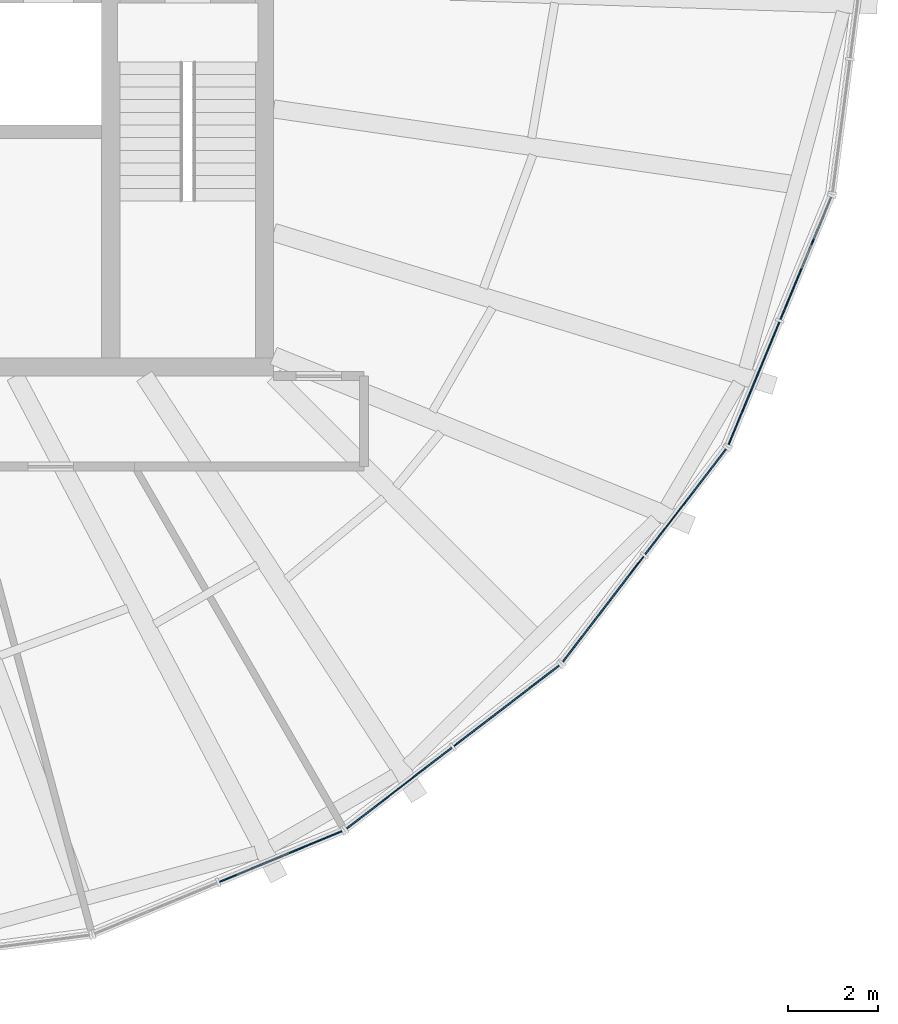
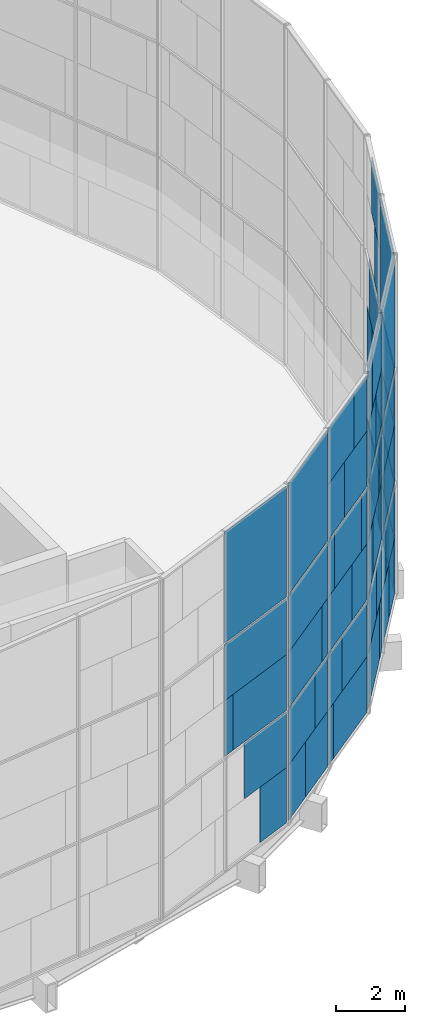
# One storey, part 14 of 23: 66 plates, 4 elements without a shape of their own.
"""IFC4 building model written with IfcOpenShell, lengths in metres."""

from ifc_helpers import new_model, si_unit, direction, frame, origin, origin_2d, place, context, subcontext, project, spatial, rectangle, extrude, material, layer, layer_set, type_object, element, aggregate, save


model = new_model("IFC4")

# Units and contexts
model_context = context("Model", 3, precision=1e-05, world=origin(), true_north=direction((0.0, 1.0)))
body_context = subcontext(model_context, "Body", "Model", "MODEL_VIEW")
ifc_project = project(units=[si_unit("LENGTHUNIT", "METRE"), si_unit("AREAUNIT", "SQUARE_METRE"), si_unit("VOLUMEUNIT", "CUBIC_METRE"), si_unit("PLANEANGLEUNIT", "RADIAN"), si_unit("MASSUNIT", "GRAM", prefix="KILO")], contexts=[model_context])

# Site, building, storey
site_placement = place(None, origin())
site = spatial("IfcSite", under=ifc_project, at=site_placement, CompositionType="ELEMENT")
building_placement = place(site_placement, origin())
building = spatial("IfcBuilding", under=site, at=building_placement, Name="Golbaran Civic Tower", CompositionType="ELEMENT")
storey_placement = place(building_placement, frame((0.0, 0.0, 220.0)))
storey = spatial("IfcBuildingStorey", under=building, at=storey_placement, Name="L53", CompositionType="ELEMENT", Elevation=220.0)

# Curtain wall, plates
ifc_material_1 = material(Name="Aluminium and glass", Category="aluminium")
curtain_wall_type = type_object("IfcCurtainWallType", Name="INNER SKIN CURTAIN WALL EXECUTIVE", PredefinedType="NOTDEFINED", material=ifc_material_1)
curtain_wall_1_placement = place(storey_placement, origin())
curtain_wall_1 = element("IfcCurtainWall", 1, at=curtain_wall_1_placement, inside=storey, type_object=curtain_wall_type, Name="Inner skin L53 facet 20 CW2", ObjectType="INNER SKIN", PredefinedType="USERDEFINED")
ifc_material_2 = material(Name="Clear insulating glass", Category="glass")
ifc_layer_1 = layer(ifc_material_2, 0.031982421875, Name="Clear insulating glass")
ifc_layer_set_1 = layer_set([ifc_layer_1], Name="Clear insulating glass")
plate_type_1 = type_object("IfcPlateType", Name="INNER SKIN CURTAIN WALL EXECUTIVE GLAZED PANEL", PredefinedType="CURTAIN_PANEL", material=ifc_layer_set_1)
plate_1_placement = place(storey_placement, frame((10.927490234375, -20.299560546875, 0.06005859375), z_axis=(0.0, 0.0, 1.0), x_axis=(0.923879532531, 0.382683432317, 0.0)))
plate_1 = element("IfcPlate", 2, at=plate_1_placement, type_object=plate_type_1, Name="CW2 panel 2.1 part 2", PredefinedType="CURTAIN_PANEL", context=body_context, shape_type="SweptSolid", body=[
    extrude(rectangle(XDim=1.2646484375, YDim=0.031982421875, at=origin_2d()), origin(), (0.0, 0.0, 1.0), 1.955078125),
])
plate_2_placement = place(storey_placement, frame((10.593994140625, -20.437744140625, 2.014892578125), z_axis=(0.0, 0.0, 1.0), x_axis=(0.923879532531, 0.382683432317, 0.0)))
plate_2 = element("IfcPlate", 3, at=plate_2_placement, type_object=plate_type_1, Name="CW2 panel 2.1 part 4", PredefinedType="CURTAIN_PANEL", context=body_context, shape_type="SweptSolid", body=[
    extrude(rectangle(XDim=1.986572265625, YDim=0.031982421875, at=origin_2d()), origin(), (0.0, 0.0, 1.0), 1.955078125),
])
plate_3_placement = place(storey_placement, frame((10.343505859375, -20.54150390625, 4.02978515625), z_axis=(0.0, 0.0, 1.0), x_axis=(0.923879532531, 0.382683432317, 0.0)))
plate_3 = element("IfcPlate", 4, at=plate_3_placement, type_object=plate_type_1, Name="CW2 panel 2.2 part 2", PredefinedType="CURTAIN_PANEL", context=body_context, shape_type="SweptSolid", body=[
    extrude(rectangle(XDim=2.528564453125, YDim=0.031982421875, at=origin_2d()), origin(), (0.0, 0.0, 1.0), 1.969970703125),
])
plate_4_placement = place(storey_placement, frame((10.158203125, -20.6181640625, 6.0), z_axis=(0.0, 0.0, 1.0), x_axis=(0.923879532531, 0.382683432317, 0.0)))
plate_4 = element("IfcPlate", 5, at=plate_4_placement, type_object=plate_type_1, Name="CW2 panel 2.2 part 3", PredefinedType="CURTAIN_PANEL", context=body_context, shape_type="SweptSolid", body=[
    extrude(rectangle(XDim=2.9296875, YDim=0.031982421875, at=origin_2d()), origin(), (0.0, 0.0, 1.0), 1.969970703125),
])
plate_5_placement = place(storey_placement, frame((10.158203125, -20.6181640625, 8.0302734375), z_axis=(0.0, 0.0, 1.0), x_axis=(0.923879532531, 0.382683432317, 0.0)))
plate_5 = element("IfcPlate", 6, at=plate_5_placement, type_object=plate_type_1, Name="CW2 panel 2.3", PredefinedType="CURTAIN_PANEL", context=body_context, shape_type="SweptSolid", body=[
    extrude(rectangle(XDim=2.9296875, YDim=0.031982421875, at=origin_2d()), origin(), (0.0, 0.0, 1.0), 3.909912109375),
])

curtain_wall_2_placement = place(storey_placement, origin())
curtain_wall_2 = element("IfcCurtainWall", 7, at=curtain_wall_2_placement, inside=storey, type_object=curtain_wall_type, Name="Inner skin L53 facet 21 CW2", ObjectType="INNER SKIN", PredefinedType="USERDEFINED")
plate_6_placement = place(storey_placement, frame((12.115966796875, -19.61328125, 0.06005859375), z_axis=(0.0, 0.0, 1.0), x_axis=(0.793353340312, 0.608761428981, 0.0)))
plate_6 = element("IfcPlate", 8, at=plate_6_placement, type_object=plate_type_1, Name="CW2 panel 1.1 part 1", PredefinedType="CURTAIN_PANEL", context=body_context, shape_type="SweptSolid", body=[
    extrude(rectangle(XDim=1.263916015625, YDim=0.031982421875, at=origin_2d()), origin(), (0.0, 0.0, 1.0), 1.955078125),
])
plate_7_placement = place(storey_placement, frame((12.40283203125, -19.393310546875, 2.014892578125), z_axis=(0.0, 0.0, 1.0), x_axis=(0.793353340312, 0.608761428981, 0.0)))
plate_7 = element("IfcPlate", 9, at=plate_7_placement, type_object=plate_type_1, Name="CW2 panel 1.1 part 3", PredefinedType="CURTAIN_PANEL", context=body_context, shape_type="SweptSolid", body=[
    extrude(rectangle(XDim=1.987060546875, YDim=0.031982421875, at=origin_2d()), origin(), (0.0, 0.0, 1.0), 1.955078125),
])
plate_8_placement = place(storey_placement, frame((12.617431640625, -19.228515625, 4.02978515625), z_axis=(0.0, 0.0, 1.0), x_axis=(0.793353340312, 0.608761428981, 0.0)))
plate_8 = element("IfcPlate", 10, at=plate_8_placement, type_object=plate_type_1, Name="CW2 panel 1.2 part 1", PredefinedType="CURTAIN_PANEL", context=body_context, shape_type="SweptSolid", body=[
    extrude(rectangle(XDim=2.528076171875, YDim=0.031982421875, at=origin_2d()), origin(), (0.0, 0.0, 1.0), 1.969970703125),
])
plate_9_placement = place(storey_placement, frame((12.776611328125, -19.1064453125, 6.0), z_axis=(0.0, 0.0, 1.0), x_axis=(0.793353340312, 0.608761428981, 0.0)))
plate_9 = element("IfcPlate", 11, at=plate_9_placement, type_object=plate_type_1, Name="CW2 panel 1.2 part 3", PredefinedType="CURTAIN_PANEL", context=body_context, shape_type="SweptSolid", body=[
    extrude(rectangle(XDim=2.9296875, YDim=0.031982421875, at=origin_2d()), origin(), (0.0, 0.0, 1.0), 1.969970703125),
])
plate_10_placement = place(storey_placement, frame((12.776611328125, -19.1064453125, 8.0302734375), z_axis=(0.0, 0.0, 1.0), x_axis=(0.793353340312, 0.608761428981, 0.0)))
plate_10 = element("IfcPlate", 12, at=plate_10_placement, type_object=plate_type_1, Name="CW2 panel 1.3", PredefinedType="CURTAIN_PANEL", context=body_context, shape_type="SweptSolid", body=[
    extrude(rectangle(XDim=2.9296875, YDim=0.031982421875, at=origin_2d()), origin(), (0.0, 0.0, 1.0), 3.909912109375),
])
plate_11_placement = place(storey_placement, frame((15.30712890625, -17.164794921875, 0.06005859375), z_axis=(0.0, 0.0, 1.0), x_axis=(0.793353340312, 0.608761428981, 0.0)))
plate_11 = element("IfcPlate", 13, at=plate_11_placement, type_object=plate_type_1, Name="CW2 panel 2.1 part 2", PredefinedType="CURTAIN_PANEL", context=body_context, shape_type="SweptSolid", body=[
    extrude(rectangle(XDim=2.529541015625, YDim=0.031982421875, at=origin_2d()), origin(), (0.0, 0.0, 1.0), 1.955078125),
])
plate_12_placement = place(storey_placement, frame((15.56103515625, -16.969970703125, 2.014892578125), z_axis=(0.0, 0.0, 1.0), x_axis=(0.793353340312, 0.608761428981, 0.0)))
plate_12 = element("IfcPlate", 14, at=plate_12_placement, type_object=plate_type_1, Name="CW2 panel 2.1 part 4", PredefinedType="CURTAIN_PANEL", context=body_context, shape_type="SweptSolid", body=[
    extrude(rectangle(XDim=1.8896484375, YDim=0.031982421875, at=origin_2d()), origin(), (0.0, 0.0, 1.0), 1.955078125),
])
plate_13_placement = place(storey_placement, frame((15.858642578125, -16.74169921875, 4.02978515625), z_axis=(0.0, 0.0, 1.0), x_axis=(0.793353340312, 0.608761428981, 0.0)))
plate_13 = element("IfcPlate", 15, at=plate_13_placement, type_object=plate_type_1, Name="CW2 panel 2.2 part 2", PredefinedType="CURTAIN_PANEL", context=body_context, shape_type="SweptSolid", body=[
    extrude(rectangle(XDim=1.1396484375, YDim=0.031982421875, at=origin_2d()), origin(), (0.0, 0.0, 1.0), 1.969970703125),
])
plate_14_placement = place(storey_placement, frame((14.17236328125, -18.035400390625, 6.0), z_axis=(0.0, 0.0, 1.0), x_axis=(0.793353340312, 0.608761428981, 0.0)))
plate_14 = element("IfcPlate", 16, at=plate_14_placement, type_object=plate_type_1, Name="CW2 panel 2.2 part 3", PredefinedType="CURTAIN_PANEL", context=body_context, shape_type="SweptSolid", body=[
    extrude(rectangle(XDim=0.468994140625, YDim=0.031982421875, at=origin_2d()), origin(), (0.0, 0.0, 1.0), 1.969970703125),
])
plate_15_placement = place(storey_placement, frame((16.147216796875, -16.52001953125, 6.0), z_axis=(0.0, 0.0, 1.0), x_axis=(0.793353340312, 0.608761428981, 0.0)))
plate_15 = element("IfcPlate", 17, at=plate_15_placement, type_object=plate_type_1, Name="CW2 panel 2.2 part 5", PredefinedType="CURTAIN_PANEL", context=body_context, shape_type="SweptSolid", body=[
    extrude(rectangle(XDim=0.41162109375, YDim=0.031982421875, at=origin_2d()), origin(), (0.0, 0.0, 1.0), 1.969970703125),
])
plate_16_placement = place(storey_placement, frame((14.469970703125, -17.80712890625, 8.030029296875), z_axis=(0.0, 0.0, 1.0), x_axis=(0.793353340312, 0.608761428981, 0.0)))
plate_16 = element("IfcPlate", 18, at=plate_16_placement, type_object=plate_type_1, Name="CW2 panel 2.3 part 1", PredefinedType="CURTAIN_PANEL", context=body_context, shape_type="SweptSolid", body=[
    extrude(rectangle(XDim=1.218994140625, YDim=0.031982421875, at=origin_2d()), origin(), (0.0, 0.0, 1.0), 1.955078125),
])
plate_17_placement = place(storey_placement, frame((14.75634765625, -17.58740234375, 9.98486328125), z_axis=(0.0, 0.0, 1.0), x_axis=(0.793353340312, 0.608761428981, 0.0)))
plate_17 = element("IfcPlate", 19, at=plate_17_placement, type_object=plate_type_1, Name="CW2 panel 2.3 part 3", PredefinedType="CURTAIN_PANEL", context=body_context, shape_type="SweptSolid", body=[
    extrude(rectangle(XDim=1.94091796875, YDim=0.031982421875, at=origin_2d()), origin(), (0.0, 0.0, 1.0), 1.955078125),
])

curtain_wall_3_placement = place(storey_placement, origin())
curtain_wall_3 = element("IfcCurtainWall", 20, at=curtain_wall_3_placement, inside=storey, type_object=curtain_wall_type, Name="Inner skin L53 facet 22 CW2", ObjectType="INNER SKIN", PredefinedType="USERDEFINED")
plate_18_placement = place(storey_placement, frame((17.164306640625, -15.307861328125, 0.06005859375), z_axis=(0.0, 0.0, 1.0), x_axis=(0.608761428981, 0.793353340312, 0.0)))
plate_18 = element("IfcPlate", 21, at=plate_18_placement, type_object=plate_type_1, Name="CW2 panel 1.1 part 1", PredefinedType="CURTAIN_PANEL", context=body_context, shape_type="SweptSolid", body=[
    extrude(rectangle(XDim=2.528076171875, YDim=0.031982421875, at=origin_2d()), origin(), (0.0, 0.0, 1.0), 1.955078125),
])
plate_19_placement = place(storey_placement, frame((16.9697265625, -15.561279296875, 2.014892578125), z_axis=(0.0, 0.0, 1.0), x_axis=(0.608761428981, 0.793353340312, 0.0)))
plate_19 = element("IfcPlate", 22, at=plate_19_placement, type_object=plate_type_1, Name="CW2 panel 1.1 part 3", PredefinedType="CURTAIN_PANEL", context=body_context, shape_type="SweptSolid", body=[
    extrude(rectangle(XDim=1.888916015625, YDim=0.031982421875, at=origin_2d()), origin(), (0.0, 0.0, 1.0), 1.955078125),
])
plate_20_placement = place(storey_placement, frame((16.741455078125, -15.85888671875, 4.02978515625), z_axis=(0.0, 0.0, 1.0), x_axis=(0.608761428981, 0.793353340312, 0.0)))
plate_20 = element("IfcPlate", 23, at=plate_20_placement, type_object=plate_type_1, Name="CW2 panel 1.2 part 1", PredefinedType="CURTAIN_PANEL", context=body_context, shape_type="SweptSolid", body=[
    extrude(rectangle(XDim=1.138916015625, YDim=0.031982421875, at=origin_2d()), origin(), (0.0, 0.0, 1.0), 1.969970703125),
])
plate_21_placement = place(storey_placement, frame((16.52001953125, -16.147216796875, 6.0), z_axis=(0.0, 0.0, 1.0), x_axis=(0.608761428981, 0.793353340312, 0.0)))
plate_21 = element("IfcPlate", 24, at=plate_21_placement, type_object=plate_type_1, Name="CW2 panel 1.2 part 3", PredefinedType="CURTAIN_PANEL", context=body_context, shape_type="SweptSolid", body=[
    extrude(rectangle(XDim=0.412109375, YDim=0.031982421875, at=origin_2d()), origin(), (0.0, 0.0, 1.0), 1.969970703125),
])
plate_22_placement = place(storey_placement, frame((18.03564453125, -14.17236328125, 6.0), z_axis=(0.0, 0.0, 1.0), x_axis=(0.608761428981, 0.793353340312, 0.0)))
plate_22 = element("IfcPlate", 25, at=plate_22_placement, type_object=plate_type_1, Name="CW2 panel 1.2 part 5", PredefinedType="CURTAIN_PANEL", context=body_context, shape_type="SweptSolid", body=[
    extrude(rectangle(XDim=0.468505859375, YDim=0.031982421875, at=origin_2d()), origin(), (0.0, 0.0, 1.0), 1.969970703125),
])
plate_23_placement = place(storey_placement, frame((17.80712890625, -14.4697265625, 8.030029296875), z_axis=(0.0, 0.0, 1.0), x_axis=(0.608761428981, 0.793353340312, 0.0)))
plate_23 = element("IfcPlate", 26, at=plate_23_placement, type_object=plate_type_1, Name="CW2 panel 1.3 part 2", PredefinedType="CURTAIN_PANEL", context=body_context, shape_type="SweptSolid", body=[
    extrude(rectangle(XDim=1.218505859375, YDim=0.031982421875, at=origin_2d()), origin(), (0.0, 0.0, 1.0), 1.955078125),
])
plate_24_placement = place(storey_placement, frame((17.587158203125, -14.756591796875, 9.98486328125), z_axis=(0.0, 0.0, 1.0), x_axis=(0.608761428981, 0.793353340312, 0.0)))
plate_24 = element("IfcPlate", 27, at=plate_24_placement, type_object=plate_type_1, Name="CW2 panel 1.3 part 4", PredefinedType="CURTAIN_PANEL", context=body_context, shape_type="SweptSolid", body=[
    extrude(rectangle(XDim=1.941650390625, YDim=0.031982421875, at=origin_2d()), origin(), (0.0, 0.0, 1.0), 1.955078125),
])
plate_25_placement = place(storey_placement, frame((19.61328125, -12.1162109375, 0.06005859375), z_axis=(0.0, 0.0, 1.0), x_axis=(0.608761428981, 0.793353340312, 0.0)))
plate_25 = element("IfcPlate", 28, at=plate_25_placement, type_object=plate_type_1, Name="CW2 panel 2.1 part 2", PredefinedType="CURTAIN_PANEL", context=body_context, shape_type="SweptSolid", body=[
    extrude(rectangle(XDim=1.2646484375, YDim=0.031982421875, at=origin_2d()), origin(), (0.0, 0.0, 1.0), 1.955078125),
])
plate_26_placement = place(storey_placement, frame((19.393310546875, -12.402587890625, 2.014892578125), z_axis=(0.0, 0.0, 1.0), x_axis=(0.608761428981, 0.793353340312, 0.0)))
plate_26 = element("IfcPlate", 29, at=plate_26_placement, type_object=plate_type_1, Name="CW2 panel 2.1 part 4", PredefinedType="CURTAIN_PANEL", context=body_context, shape_type="SweptSolid", body=[
    extrude(rectangle(XDim=1.986572265625, YDim=0.031982421875, at=origin_2d()), origin(), (0.0, 0.0, 1.0), 1.955078125),
])
plate_27_placement = place(storey_placement, frame((19.228515625, -12.61767578125, 4.02978515625), z_axis=(0.0, 0.0, 1.0), x_axis=(0.608761428981, 0.793353340312, 0.0)))
plate_27 = element("IfcPlate", 30, at=plate_27_placement, type_object=plate_type_1, Name="CW2 panel 2.2 part 2", PredefinedType="CURTAIN_PANEL", context=body_context, shape_type="SweptSolid", body=[
    extrude(rectangle(XDim=2.528564453125, YDim=0.031982421875, at=origin_2d()), origin(), (0.0, 0.0, 1.0), 1.969970703125),
])
plate_28_placement = place(storey_placement, frame((19.1064453125, -12.776611328125, 6.0), z_axis=(0.0, 0.0, 1.0), x_axis=(0.608761428981, 0.793353340312, 0.0)))
plate_28 = element("IfcPlate", 31, at=plate_28_placement, type_object=plate_type_1, Name="CW2 panel 2.2 part 3", PredefinedType="CURTAIN_PANEL", context=body_context, shape_type="SweptSolid", body=[
    extrude(rectangle(XDim=2.9296875, YDim=0.031982421875, at=origin_2d()), origin(), (0.0, 0.0, 1.0), 1.969970703125),
])
plate_29_placement = place(storey_placement, frame((19.1064453125, -12.776611328125, 8.0302734375), z_axis=(0.0, 0.0, 1.0), x_axis=(0.608761428981, 0.793353340312, 0.0)))
plate_29 = element("IfcPlate", 32, at=plate_29_placement, type_object=plate_type_1, Name="CW2 panel 2.3", PredefinedType="CURTAIN_PANEL", context=body_context, shape_type="SweptSolid", body=[
    extrude(rectangle(XDim=2.9296875, YDim=0.031982421875, at=origin_2d()), origin(), (0.0, 0.0, 1.0), 3.909912109375),
])

curtain_wall_4_placement = place(storey_placement, origin())
curtain_wall_4 = element("IfcCurtainWall", 33, at=curtain_wall_4_placement, inside=storey, type_object=curtain_wall_type, Name="Inner skin L53 facet 23 CW2", ObjectType="INNER SKIN", PredefinedType="USERDEFINED")
plate_30_placement = place(storey_placement, frame((20.299560546875, -10.927734375, 0.06005859375), z_axis=(0.0, 0.0, 1.0), x_axis=(0.382683432317, 0.923879532531, 0.0)))
plate_30 = element("IfcPlate", 34, at=plate_30_placement, type_object=plate_type_1, Name="CW2 panel 1.1 part 1", PredefinedType="CURTAIN_PANEL", context=body_context, shape_type="SweptSolid", body=[
    extrude(rectangle(XDim=1.263916015625, YDim=0.031982421875, at=origin_2d()), origin(), (0.0, 0.0, 1.0), 1.955078125),
])
plate_31_placement = place(storey_placement, frame((20.437744140625, -10.59375, 2.014892578125), z_axis=(0.0, 0.0, 1.0), x_axis=(0.382683432317, 0.923879532531, 0.0)))
plate_31 = element("IfcPlate", 35, at=plate_31_placement, type_object=plate_type_1, Name="CW2 panel 1.1 part 3", PredefinedType="CURTAIN_PANEL", context=body_context, shape_type="SweptSolid", body=[
    extrude(rectangle(XDim=1.987060546875, YDim=0.031982421875, at=origin_2d()), origin(), (0.0, 0.0, 1.0), 1.955078125),
])
plate_32_placement = place(storey_placement, frame((20.541259765625, -10.34375, 4.02978515625), z_axis=(0.0, 0.0, 1.0), x_axis=(0.382683432317, 0.923879532531, 0.0)))
plate_32 = element("IfcPlate", 36, at=plate_32_placement, type_object=plate_type_1, Name="CW2 panel 1.2 part 1", PredefinedType="CURTAIN_PANEL", context=body_context, shape_type="SweptSolid", body=[
    extrude(rectangle(XDim=2.528076171875, YDim=0.031982421875, at=origin_2d()), origin(), (0.0, 0.0, 1.0), 1.969970703125),
])
plate_33_placement = place(storey_placement, frame((20.6181640625, -10.158203125, 6.0), z_axis=(0.0, 0.0, 1.0), x_axis=(0.382683432317, 0.923879532531, 0.0)))
plate_33 = element("IfcPlate", 37, at=plate_33_placement, type_object=plate_type_1, Name="CW2 panel 1.2 part 3", PredefinedType="CURTAIN_PANEL", context=body_context, shape_type="SweptSolid", body=[
    extrude(rectangle(XDim=2.9296875, YDim=0.031982421875, at=origin_2d()), origin(), (0.0, 0.0, 1.0), 1.969970703125),
])
plate_34_placement = place(storey_placement, frame((20.6181640625, -10.158203125, 8.0302734375), z_axis=(0.0, 0.0, 1.0), x_axis=(0.382683432317, 0.923879532531, 0.0)))
plate_34 = element("IfcPlate", 38, at=plate_34_placement, type_object=plate_type_1, Name="CW2 panel 1.3", PredefinedType="CURTAIN_PANEL", context=body_context, shape_type="SweptSolid", body=[
    extrude(rectangle(XDim=2.9296875, YDim=0.031982421875, at=origin_2d()), origin(), (0.0, 0.0, 1.0), 3.909912109375),
])
plate_35_placement = place(storey_placement, frame((21.8388671875, -7.21142578125, 0.06005859375), z_axis=(0.0, 0.0, 1.0), x_axis=(0.382683432317, 0.923879532531, 0.0)))
plate_35 = element("IfcPlate", 39, at=plate_35_placement, type_object=plate_type_1, Name="CW2 panel 2.1 part 2", PredefinedType="CURTAIN_PANEL", context=body_context, shape_type="SweptSolid", body=[
    extrude(rectangle(XDim=2.529541015625, YDim=0.031982421875, at=origin_2d()), origin(), (0.0, 0.0, 1.0), 1.955078125),
])
plate_36_placement = place(storey_placement, frame((21.961181640625, -6.915771484375, 2.014892578125), z_axis=(0.0, 0.0, 1.0), x_axis=(0.382683432317, 0.923879532531, 0.0)))
plate_36 = element("IfcPlate", 40, at=plate_36_placement, type_object=plate_type_1, Name="CW2 panel 2.1 part 4", PredefinedType="CURTAIN_PANEL", context=body_context, shape_type="SweptSolid", body=[
    extrude(rectangle(XDim=1.8896484375, YDim=0.031982421875, at=origin_2d()), origin(), (0.0, 0.0, 1.0), 1.955078125),
])
plate_37_placement = place(storey_placement, frame((22.104736328125, -6.5693359375, 4.02978515625), z_axis=(0.0, 0.0, 1.0), x_axis=(0.382683432317, 0.923879532531, 0.0)))
plate_37 = element("IfcPlate", 41, at=plate_37_placement, type_object=plate_type_1, Name="CW2 panel 2.2 part 2", PredefinedType="CURTAIN_PANEL", context=body_context, shape_type="SweptSolid", body=[
    extrude(rectangle(XDim=1.1396484375, YDim=0.031982421875, at=origin_2d()), origin(), (0.0, 0.0, 1.0), 1.969970703125),
])
plate_38_placement = place(storey_placement, frame((21.29150390625, -8.532958984375, 6.0), z_axis=(0.0, 0.0, 1.0), x_axis=(0.382683432317, 0.923879532531, 0.0)))
plate_38 = element("IfcPlate", 42, at=plate_38_placement, type_object=plate_type_1, Name="CW2 panel 2.2 part 3", PredefinedType="CURTAIN_PANEL", context=body_context, shape_type="SweptSolid", body=[
    extrude(rectangle(XDim=0.468994140625, YDim=0.031982421875, at=origin_2d()), origin(), (0.0, 0.0, 1.0), 1.969970703125),
])
plate_39_placement = place(storey_placement, frame((21.434814453125, -8.1865234375, 8.030029296875), z_axis=(0.0, 0.0, 1.0), x_axis=(0.382683432317, 0.923879532531, 0.0)))
plate_39 = element("IfcPlate", 43, at=plate_39_placement, type_object=plate_type_1, Name="CW2 panel 2.3 part 1", PredefinedType="CURTAIN_PANEL", context=body_context, shape_type="SweptSolid", body=[
    extrude(rectangle(XDim=1.218994140625, YDim=0.031982421875, at=origin_2d()), origin(), (0.0, 0.0, 1.0), 1.955078125),
])
plate_40_placement = place(storey_placement, frame((21.572998046875, -7.85302734375, 9.98486328125), z_axis=(0.0, 0.0, 1.0), x_axis=(0.382683432317, 0.923879532531, 0.0)))
plate_40 = element("IfcPlate", 44, at=plate_40_placement, type_object=plate_type_1, Name="CW2 panel 2.3 part 3", PredefinedType="CURTAIN_PANEL", context=body_context, shape_type="SweptSolid", body=[
    extrude(rectangle(XDim=1.94091796875, YDim=0.031982421875, at=origin_2d()), origin(), (0.0, 0.0, 1.0), 1.955078125),
])

# Plate
ifc_material_3 = material(Name="Aluminium faced opaque infill panel", Category="aluminium")
ifc_layer_2 = layer(ifc_material_3, 0.031982421875, Name="Aluminium faced opaque infill panel")
ifc_layer_set_2 = layer_set([ifc_layer_2], Name="Aluminium faced opaque infill panel")
plate_type_2 = type_object("IfcPlateType", Name="INNER SKIN CURTAIN WALL EXECUTIVE OPAQUE INFILL PANEL", PredefinedType="CURTAIN_PANEL", material=ifc_layer_set_2)
plate_41_placement = place(storey_placement, frame((8.990234375, -21.10205078125, 4.02978515625), z_axis=(0.0, 0.0, 1.0), x_axis=(0.923879532531, 0.382683432317, 0.0)))
plate_41 = element("IfcPlate", 45, at=plate_41_placement, type_object=plate_type_2, Name="CW2 infill panel 2.2 part 1", PredefinedType="CURTAIN_PANEL", context=body_context, shape_type="SweptSolid", body=[
    extrude(rectangle(XDim=0.40087890625, YDim=0.031982421875, at=origin_2d()), origin(), (0.0, 0.0, 1.0), 1.969970703125),
])

aggregate(curtain_wall_1, [plate_1, plate_2, plate_41, plate_3, plate_4, plate_5])

plate_42_placement = place(storey_placement, frame((13.278076171875, -18.7216796875, 0.06005859375), z_axis=(0.0, 0.0, 1.0), x_axis=(0.793353340312, 0.608761428981, 0.0)))
plate_42 = element("IfcPlate", 46, at=plate_42_placement, type_object=plate_type_2, Name="CW2 infill panel 1.1 part 2", PredefinedType="CURTAIN_PANEL", context=body_context, shape_type="SweptSolid", body=[
    extrude(rectangle(XDim=1.66552734375, YDim=0.031982421875, at=origin_2d()), origin(), (0.0, 0.0, 1.0), 1.955078125),
])

plate_43_placement = place(storey_placement, frame((13.56494140625, -18.501708984375, 2.014892578125), z_axis=(0.0, 0.0, 1.0), x_axis=(0.793353340312, 0.608761428981, 0.0)))
plate_43 = element("IfcPlate", 47, at=plate_43_placement, type_object=plate_type_2, Name="CW2 infill panel 1.1 part 4", PredefinedType="CURTAIN_PANEL", context=body_context, shape_type="SweptSolid", body=[
    extrude(rectangle(XDim=0.942626953125, YDim=0.031982421875, at=origin_2d()), origin(), (0.0, 0.0, 1.0), 1.955078125),
])

plate_44_placement = place(storey_placement, frame((13.779541015625, -18.3369140625, 4.02978515625), z_axis=(0.0, 0.0, 1.0), x_axis=(0.793353340312, 0.608761428981, 0.0)))
plate_44 = element("IfcPlate", 48, at=plate_44_placement, type_object=plate_type_2, Name="CW2 infill panel 1.2 part 2", PredefinedType="CURTAIN_PANEL", context=body_context, shape_type="SweptSolid", body=[
    extrude(rectangle(XDim=0.401611328125, YDim=0.031982421875, at=origin_2d()), origin(), (0.0, 0.0, 1.0), 1.969970703125),
])

plate_45_placement = place(storey_placement, frame((14.14501953125, -18.056396484375, 0.06005859375), z_axis=(0.0, 0.0, 1.0), x_axis=(0.793353340312, 0.608761428981, 0.0)))
plate_45 = element("IfcPlate", 49, at=plate_45_placement, type_object=plate_type_2, Name="CW2 infill panel 2.1 part 1", PredefinedType="CURTAIN_PANEL", context=body_context, shape_type="SweptSolid", body=[
    extrude(rectangle(XDim=0.39990234375, YDim=0.031982421875, at=origin_2d()), origin(), (0.0, 0.0, 1.0), 1.955078125),
])

plate_46_placement = place(storey_placement, frame((14.39892578125, -17.861572265625, 2.014892578125), z_axis=(0.0, 0.0, 1.0), x_axis=(0.793353340312, 0.608761428981, 0.0)))
plate_46 = element("IfcPlate", 50, at=plate_46_placement, type_object=plate_type_2, Name="CW2 infill panel 2.1 part 3", PredefinedType="CURTAIN_PANEL", context=body_context, shape_type="SweptSolid", body=[
    extrude(rectangle(XDim=1.0400390625, YDim=0.031982421875, at=origin_2d()), origin(), (0.0, 0.0, 1.0), 1.955078125),
])

plate_47_placement = place(storey_placement, frame((14.696533203125, -17.63330078125, 4.02978515625), z_axis=(0.0, 0.0, 1.0), x_axis=(0.793353340312, 0.608761428981, 0.0)))
plate_47 = element("IfcPlate", 51, at=plate_47_placement, type_object=plate_type_2, Name="CW2 infill panel 2.2 part 1", PredefinedType="CURTAIN_PANEL", context=body_context, shape_type="SweptSolid", body=[
    extrude(rectangle(XDim=1.7900390625, YDim=0.031982421875, at=origin_2d()), origin(), (0.0, 0.0, 1.0), 1.969970703125),
])

plate_48_placement = place(storey_placement, frame((15.17138671875, -17.26904296875, 6.0), z_axis=(0.0, 0.0, 1.0), x_axis=(0.793353340312, 0.608761428981, 0.0)))
plate_48 = element("IfcPlate", 52, at=plate_48_placement, type_object=plate_type_2, Name="CW2 infill panel 2.2 part 4", PredefinedType="CURTAIN_PANEL", context=body_context, shape_type="SweptSolid", body=[
    extrude(rectangle(XDim=2.049072265625, YDim=0.031982421875, at=origin_2d()), origin(), (0.0, 0.0, 1.0), 1.969970703125),
])

plate_49_placement = place(storey_placement, frame((15.632080078125, -16.91552734375, 8.030029296875), z_axis=(0.0, 0.0, 1.0), x_axis=(0.793353340312, 0.608761428981, 0.0)))
plate_49 = element("IfcPlate", 53, at=plate_49_placement, type_object=plate_type_2, Name="CW2 infill panel 2.3 part 2", PredefinedType="CURTAIN_PANEL", context=body_context, shape_type="SweptSolid", body=[
    extrude(rectangle(XDim=1.710693359375, YDim=0.031982421875, at=origin_2d()), origin(), (0.0, 0.0, 1.0), 1.955078125),
])

plate_50_placement = place(storey_placement, frame((15.91845703125, -16.695556640625, 9.98486328125), z_axis=(0.0, 0.0, 1.0), x_axis=(0.793353340312, 0.608761428981, 0.0)))
plate_50 = element("IfcPlate", 54, at=plate_50_placement, type_object=plate_type_2, Name="CW2 infill panel 2.3 part 4", PredefinedType="CURTAIN_PANEL", context=body_context, shape_type="SweptSolid", body=[
    extrude(rectangle(XDim=0.988525390625, YDim=0.031982421875, at=origin_2d()), origin(), (0.0, 0.0, 1.0), 1.955078125),
])

aggregate(curtain_wall_2, [plate_6, plate_42, plate_7, plate_43, plate_8, plate_44, plate_9, plate_10, plate_45, plate_11, plate_46, plate_12, plate_47, plate_13, plate_14, plate_48, plate_15, plate_16, plate_49, plate_17, plate_50])

plate_51_placement = place(storey_placement, frame((18.055908203125, -14.145751953125, 0.06005859375), z_axis=(0.0, 0.0, 1.0), x_axis=(0.608761428981, 0.793353340312, 0.0)))
plate_51 = element("IfcPlate", 55, at=plate_51_placement, type_object=plate_type_2, Name="CW2 infill panel 1.1 part 2", PredefinedType="CURTAIN_PANEL", context=body_context, shape_type="SweptSolid", body=[
    extrude(rectangle(XDim=0.401611328125, YDim=0.031982421875, at=origin_2d()), origin(), (0.0, 0.0, 1.0), 1.955078125),
])

plate_52_placement = place(storey_placement, frame((17.861328125, -14.399169921875, 2.014892578125), z_axis=(0.0, 0.0, 1.0), x_axis=(0.608761428981, 0.793353340312, 0.0)))
plate_52 = element("IfcPlate", 56, at=plate_52_placement, type_object=plate_type_2, Name="CW2 infill panel 1.1 part 4", PredefinedType="CURTAIN_PANEL", context=body_context, shape_type="SweptSolid", body=[
    extrude(rectangle(XDim=1.04052734375, YDim=0.031982421875, at=origin_2d()), origin(), (0.0, 0.0, 1.0), 1.955078125),
])

plate_53_placement = place(storey_placement, frame((17.633056640625, -14.69677734375, 4.02978515625), z_axis=(0.0, 0.0, 1.0), x_axis=(0.608761428981, 0.793353340312, 0.0)))
plate_53 = element("IfcPlate", 57, at=plate_53_placement, type_object=plate_type_2, Name="CW2 infill panel 1.2 part 2", PredefinedType="CURTAIN_PANEL", context=body_context, shape_type="SweptSolid", body=[
    extrude(rectangle(XDim=1.79052734375, YDim=0.031982421875, at=origin_2d()), origin(), (0.0, 0.0, 1.0), 1.969970703125),
])

plate_54_placement = place(storey_placement, frame((17.269287109375, -15.1708984375, 6.0), z_axis=(0.0, 0.0, 1.0), x_axis=(0.608761428981, 0.793353340312, 0.0)))
plate_54 = element("IfcPlate", 58, at=plate_54_placement, type_object=plate_type_2, Name="CW2 infill panel 1.2 part 4", PredefinedType="CURTAIN_PANEL", context=body_context, shape_type="SweptSolid", body=[
    extrude(rectangle(XDim=2.049072265625, YDim=0.031982421875, at=origin_2d()), origin(), (0.0, 0.0, 1.0), 1.969970703125),
])

plate_55_placement = place(storey_placement, frame((16.91552734375, -15.6318359375, 8.030029296875), z_axis=(0.0, 0.0, 1.0), x_axis=(0.608761428981, 0.793353340312, 0.0)))
plate_55 = element("IfcPlate", 59, at=plate_55_placement, type_object=plate_type_2, Name="CW2 infill panel 1.3 part 1", PredefinedType="CURTAIN_PANEL", context=body_context, shape_type="SweptSolid", body=[
    extrude(rectangle(XDim=1.7109375, YDim=0.031982421875, at=origin_2d()), origin(), (0.0, 0.0, 1.0), 1.955078125),
])

plate_56_placement = place(storey_placement, frame((16.695556640625, -15.918701171875, 9.98486328125), z_axis=(0.0, 0.0, 1.0), x_axis=(0.608761428981, 0.793353340312, 0.0)))
plate_56 = element("IfcPlate", 60, at=plate_56_placement, type_object=plate_type_2, Name="CW2 infill panel 1.3 part 3", PredefinedType="CURTAIN_PANEL", context=body_context, shape_type="SweptSolid", body=[
    extrude(rectangle(XDim=0.988037109375, YDim=0.031982421875, at=origin_2d()), origin(), (0.0, 0.0, 1.0), 1.955078125),
])

plate_57_placement = place(storey_placement, frame((18.721435546875, -13.2783203125, 0.06005859375), z_axis=(0.0, 0.0, 1.0), x_axis=(0.608761428981, 0.793353340312, 0.0)))
plate_57 = element("IfcPlate", 61, at=plate_57_placement, type_object=plate_type_2, Name="CW2 infill panel 2.1 part 1", PredefinedType="CURTAIN_PANEL", context=body_context, shape_type="SweptSolid", body=[
    extrude(rectangle(XDim=1.6650390625, YDim=0.031982421875, at=origin_2d()), origin(), (0.0, 0.0, 1.0), 1.955078125),
])

plate_58_placement = place(storey_placement, frame((18.501708984375, -13.564697265625, 2.014892578125), z_axis=(0.0, 0.0, 1.0), x_axis=(0.608761428981, 0.793353340312, 0.0)))
plate_58 = element("IfcPlate", 62, at=plate_58_placement, type_object=plate_type_2, Name="CW2 infill panel 2.1 part 3", PredefinedType="CURTAIN_PANEL", context=body_context, shape_type="SweptSolid", body=[
    extrude(rectangle(XDim=0.943115234375, YDim=0.031982421875, at=origin_2d()), origin(), (0.0, 0.0, 1.0), 1.955078125),
])

plate_59_placement = place(storey_placement, frame((18.336669921875, -13.77978515625, 4.02978515625), z_axis=(0.0, 0.0, 1.0), x_axis=(0.608761428981, 0.793353340312, 0.0)))
plate_59 = element("IfcPlate", 63, at=plate_59_placement, type_object=plate_type_2, Name="CW2 infill panel 2.2 part 1", PredefinedType="CURTAIN_PANEL", context=body_context, shape_type="SweptSolid", body=[
    extrude(rectangle(XDim=0.40087890625, YDim=0.031982421875, at=origin_2d()), origin(), (0.0, 0.0, 1.0), 1.969970703125),
])

aggregate(curtain_wall_3, [plate_18, plate_51, plate_19, plate_52, plate_20, plate_53, plate_21, plate_54, plate_22, plate_55, plate_23, plate_56, plate_24, plate_57, plate_25, plate_58, plate_26, plate_59, plate_27, plate_28, plate_29])

plate_60_placement = place(storey_placement, frame((20.860107421875, -9.574462890625, 0.06005859375), z_axis=(0.0, 0.0, 1.0), x_axis=(0.382683432317, 0.923879532531, 0.0)))
plate_60 = element("IfcPlate", 64, at=plate_60_placement, type_object=plate_type_2, Name="CW2 infill panel 1.1 part 2", PredefinedType="CURTAIN_PANEL", context=body_context, shape_type="SweptSolid", body=[
    extrude(rectangle(XDim=1.66552734375, YDim=0.031982421875, at=origin_2d()), origin(), (0.0, 0.0, 1.0), 1.955078125),
])

plate_61_placement = place(storey_placement, frame((20.998291015625, -9.240478515625, 2.014892578125), z_axis=(0.0, 0.0, 1.0), x_axis=(0.382683432317, 0.923879532531, 0.0)))
plate_61 = element("IfcPlate", 65, at=plate_61_placement, type_object=plate_type_2, Name="CW2 infill panel 1.1 part 4", PredefinedType="CURTAIN_PANEL", context=body_context, shape_type="SweptSolid", body=[
    extrude(rectangle(XDim=0.942626953125, YDim=0.031982421875, at=origin_2d()), origin(), (0.0, 0.0, 1.0), 1.955078125),
])

plate_62_placement = place(storey_placement, frame((21.101806640625, -8.990478515625, 4.02978515625), z_axis=(0.0, 0.0, 1.0), x_axis=(0.382683432317, 0.923879532531, 0.0)))
plate_62 = element("IfcPlate", 66, at=plate_62_placement, type_object=plate_type_2, Name="CW2 infill panel 1.2 part 2", PredefinedType="CURTAIN_PANEL", context=body_context, shape_type="SweptSolid", body=[
    extrude(rectangle(XDim=0.401611328125, YDim=0.031982421875, at=origin_2d()), origin(), (0.0, 0.0, 1.0), 1.969970703125),
])

plate_63_placement = place(storey_placement, frame((21.278076171875, -8.564697265625, 0.06005859375), z_axis=(0.0, 0.0, 1.0), x_axis=(0.382683432317, 0.923879532531, 0.0)))
plate_63 = element("IfcPlate", 67, at=plate_63_placement, type_object=plate_type_2, Name="CW2 infill panel 2.1 part 1", PredefinedType="CURTAIN_PANEL", context=body_context, shape_type="SweptSolid", body=[
    extrude(rectangle(XDim=0.39990234375, YDim=0.031982421875, at=origin_2d()), origin(), (0.0, 0.0, 1.0), 1.955078125),
])

plate_64_placement = place(storey_placement, frame((21.400634765625, -8.26904296875, 2.014892578125), z_axis=(0.0, 0.0, 1.0), x_axis=(0.382683432317, 0.923879532531, 0.0)))
plate_64 = element("IfcPlate", 68, at=plate_64_placement, type_object=plate_type_2, Name="CW2 infill panel 2.1 part 3", PredefinedType="CURTAIN_PANEL", context=body_context, shape_type="SweptSolid", body=[
    extrude(rectangle(XDim=1.0400390625, YDim=0.031982421875, at=origin_2d()), origin(), (0.0, 0.0, 1.0), 1.955078125),
])

plate_65_placement = place(storey_placement, frame((21.544189453125, -7.922607421875, 4.02978515625), z_axis=(0.0, 0.0, 1.0), x_axis=(0.382683432317, 0.923879532531, 0.0)))
plate_65 = element("IfcPlate", 69, at=plate_65_placement, type_object=plate_type_2, Name="CW2 infill panel 2.2 part 1", PredefinedType="CURTAIN_PANEL", context=body_context, shape_type="SweptSolid", body=[
    extrude(rectangle(XDim=1.7900390625, YDim=0.031982421875, at=origin_2d()), origin(), (0.0, 0.0, 1.0), 1.969970703125),
])

plate_66_placement = place(storey_placement, frame((21.773193359375, -7.36962890625, 6.0), z_axis=(0.0, 0.0, 1.0), x_axis=(0.382683432317, 0.923879532531, 0.0)))
plate_66 = element("IfcPlate", 70, at=plate_66_placement, type_object=plate_type_2, Name="CW2 infill panel 2.2 part 4", PredefinedType="CURTAIN_PANEL", context=body_context, shape_type="SweptSolid", body=[
    extrude(rectangle(XDim=2.049072265625, YDim=0.031982421875, at=origin_2d()), origin(), (0.0, 0.0, 1.0), 1.969970703125),
])

aggregate(curtain_wall_4, [plate_30, plate_60, plate_31, plate_61, plate_32, plate_62, plate_33, plate_34, plate_63, plate_35, plate_64, plate_36, plate_65, plate_37, plate_38, plate_66, plate_39, plate_40])

save(model, "model.ifc")
